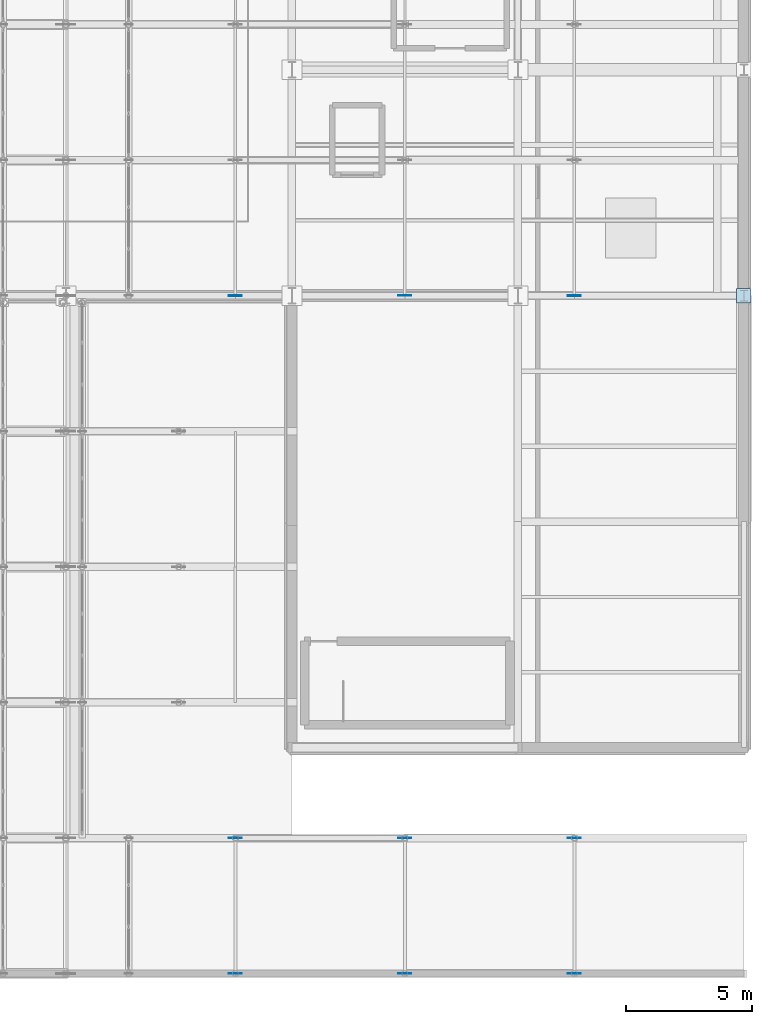
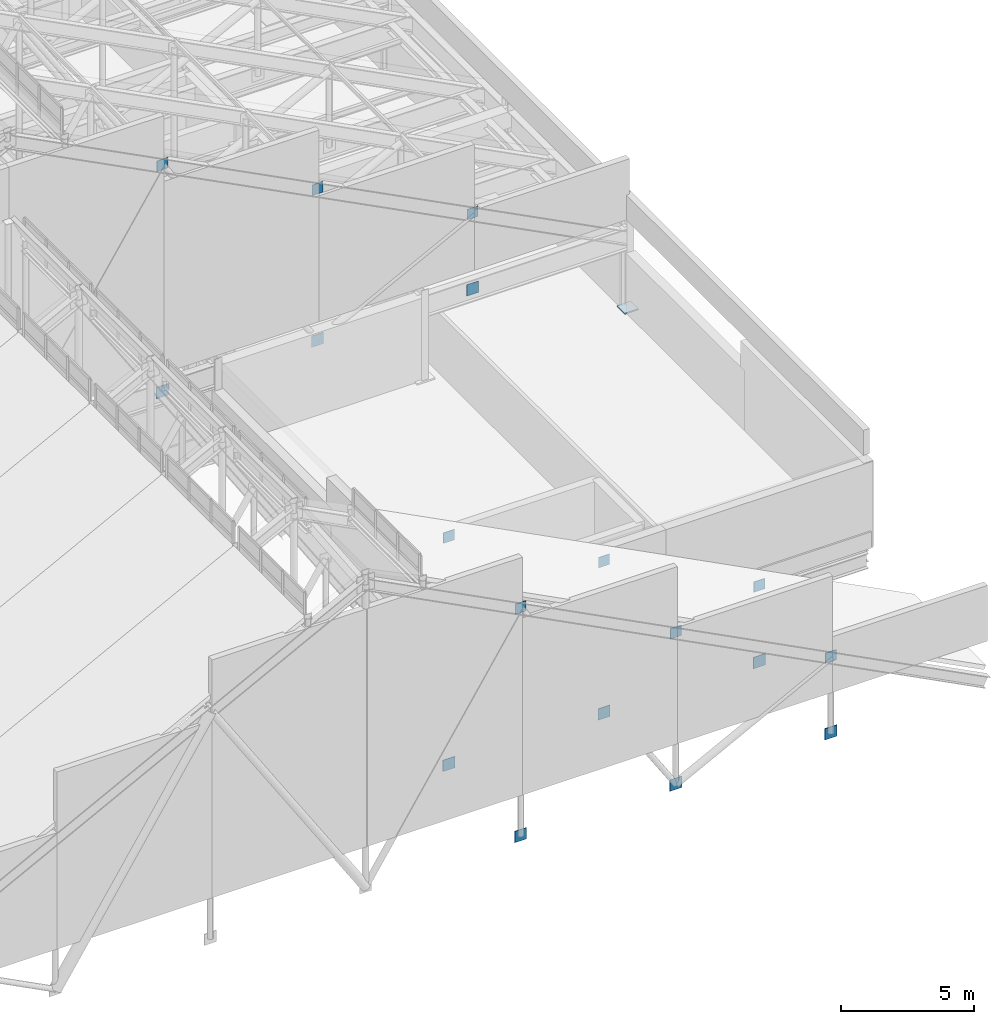
# One storey, part 76 of 84: 19 plates.
"""IFC4 building model written with IfcOpenShell, lengths in metres."""

import ifcopenshell
import ifcopenshell.guid

model = None  # the IFC model being written
_history = None  # IfcOwnerHistory: only IFC2X3 demands one
_inside = {}  # id of a spatial element -> (the spatial element, [elements in it])
_under = {}  # id of a project, library or spatial element -> (it, [spatial elements below it])
_declared = {}  # id of a project -> (the project, [libraries it declares])
_typed = {}  # id of a type object -> (the type object, [elements of that type])
_made_of = {}  # id of a material, layer set ... -> (it, [elements and type objects made of it])


def new_model(schema):
    """Start an empty IFC model of exactly this schema.

    Asked for "IFC4X3", IfcOpenShell would pick the latest addendum, in which some entities
    have other attributes; the version numbers below select the first issue.
    IFC2X3 requires an IfcOwnerHistory on every rooted entity: one is made here for all.
    """
    global model, _history
    if schema == "IFC4X3":
        model = ifcopenshell.file(schema_version=(4, 3, 0, 0))
    else:
        model = ifcopenshell.file(schema=schema)
    _inside.clear()
    _under.clear()
    _declared.clear()
    _typed.clear()
    _made_of.clear()
    _history = None
    if model.schema == "IFC2X3":
        org = make("IfcOrganization", Name="unknown")
        user = make(
            "IfcPersonAndOrganization",
            ThePerson=make("IfcPerson", FamilyName="unknown"),
            TheOrganization=org,
        )
        app = make(
            "IfcApplication",
            ApplicationDeveloper=org,
            Version="unknown",
            ApplicationFullName="unknown",
            ApplicationIdentifier="unknown",
        )
        _history = make(
            "IfcOwnerHistory",
            OwningUser=user,
            OwningApplication=app,
            ChangeAction="ADDED",
            CreationDate=0,
        )
    return model


def make(cls, **values):
    """One entity of the class cls with the attributes given. An attribute that is None is left unset."""
    return model.create_entity(
        cls, **{name: value for name, value in values.items() if value is not None}
    )


def rooted(cls, **values):
    """An entity with a GlobalId (a new one), such as an element, a storey or a relation."""
    return make(cls, GlobalId=ifcopenshell.guid.new(), OwnerHistory=_history, **values)


def si_unit(unit_type, name, prefix=None):
    """IfcSIUnit, for example si_unit("LENGTHUNIT", "METRE", prefix="MILLI")."""
    return make("IfcSIUnit", UnitType=unit_type, Prefix=prefix, Name=name)


def assignment(units):
    """IfcUnitAssignment: the units of a project."""
    return None if units is None else make("IfcUnitAssignment", Units=units)


def point(xyz):
    """IfcCartesianPoint."""
    return None if xyz is None else make("IfcCartesianPoint", Coordinates=xyz)


def direction(xyz):
    """IfcDirection."""
    return None if xyz is None else make("IfcDirection", DirectionRatios=xyz)


def frame(location, z_axis=None, x_axis=None):
    """IfcAxis2Placement3D, a coordinate frame: its origin and axes. An axis left out is left unset."""
    return make(
        "IfcAxis2Placement3D",
        Location=point(location),
        Axis=direction(z_axis),
        RefDirection=direction(x_axis),
    )


def frame_2d(location, x_axis=None):
    """IfcAxis2Placement2D, a coordinate frame in the plane: its origin and x axis."""
    return make(
        "IfcAxis2Placement2D", Location=point(location), RefDirection=direction(x_axis)
    )


def origin():
    """The frame at (0, 0, 0) with its axes left unset."""
    return frame((0.0, 0.0, 0.0))


def origin_2d():
    """The frame at (0, 0) in the plane with its x axis left unset."""
    return frame_2d((0.0, 0.0))


def place(relative_to, where):
    """IfcLocalPlacement: puts the frame where relative to a parent placement (None: the world)."""
    return make(
        "IfcLocalPlacement", PlacementRelTo=relative_to, RelativePlacement=where
    )


def context(
    kind, dimensions, precision=None, world=None, true_north=None, identifier=None
):
    """IfcGeometricRepresentationContext, for example the 3D "Model" context."""
    return make(
        "IfcGeometricRepresentationContext",
        ContextIdentifier=identifier,
        ContextType=kind,
        CoordinateSpaceDimension=dimensions,
        Precision=precision,
        WorldCoordinateSystem=world,
        TrueNorth=true_north,
    )


def subcontext(parent, identifier, kind, view, scale=None):
    """IfcGeometricRepresentationSubContext, for example "Body" below "Model"."""
    return make(
        "IfcGeometricRepresentationSubContext",
        ContextIdentifier=identifier,
        ContextType=kind,
        ParentContext=parent,
        TargetScale=scale,
        TargetView=view,
    )


def project(units=None, contexts=None):
    """IfcProject with its units and contexts."""
    return rooted(
        "IfcProject",
        Name="project",
        RepresentationContexts=contexts,
        UnitsInContext=assignment(units),
    )


def spatial(cls, under=None, at=None, **own):
    """A site, building, storey or space (cls), placed at a placement, below another one or the project."""
    s = rooted(cls, ObjectPlacement=at, **own)
    if under is not None:
        _under.setdefault(under.id(), (under, []))[1].append(s)
    return s


def profile(cls, at=None, kind="AREA", **sizes):
    """A parametric profile (cls). Its sizes go by their IFC names, for example OverallWidth=200.0."""
    return make(cls, ProfileType=kind, Position=at, **sizes)


def rectangle(**sizes):
    """IfcRectangleProfileDef."""
    return profile("IfcRectangleProfileDef", **sizes)


def extrude(swept, where, along, depth):
    """IfcExtrudedAreaSolid: the profile swept, set in the frame where, extruded along a direction by depth."""
    return make(
        "IfcExtrudedAreaSolid",
        SweptArea=swept,
        Position=where,
        ExtrudedDirection=direction(along),
        Depth=depth,
    )


def shape(context_of_items, identifier, shape_type, items):
    """IfcShapeRepresentation: the items that make up one representation, for example the "Body"."""
    return make(
        "IfcShapeRepresentation",
        ContextOfItems=context_of_items,
        RepresentationIdentifier=identifier,
        RepresentationType=shape_type,
        Items=items,
    )


def material(Name=None, Category=None):
    """IfcMaterial."""
    return make("IfcMaterial", Name=Name, Category=Category)


def layer(
    of_material, thickness, ventilated=None, Name=None, Category=None, Priority=None
):
    """IfcMaterialLayer: one layer of a wall or slab, of a material (None: an air gap)."""
    return make(
        "IfcMaterialLayer",
        Material=of_material,
        LayerThickness=thickness,
        IsVentilated=ventilated,
        Name=Name,
        Category=Category,
        Priority=Priority,
    )


def layer_set(layers, Name=None):
    """IfcMaterialLayerSet."""
    return make("IfcMaterialLayerSet", MaterialLayers=layers, LayerSetName=Name)


def made_of(thing, what):
    """Note that an element or type object is made of a material, layer set ...; save() writes the relation."""
    if what is not None:
        _made_of.setdefault(what.id(), (what, []))[1].append(thing)
    return thing


def type_object(cls, material=None, **own):
    """A type object (cls), such as IfcWallType, which elements share."""
    return made_of(rooted(cls, **own), material)


def element(
    cls,
    number,
    at=None,
    inside=None,
    cuts=None,
    type_object=None,
    material=None,
    context=None,
    identifier="Body",
    shape_type=None,
    held_by="IfcProductDefinitionShape",
    body=None,
    shapes=None,
    **own,
):
    """One element of the class cls, such as IfcWall. Its Tag is "e" and its number.

    at: its placement. inside: the storey or other place that contains it. cuts: it is an
    opening in that element (IfcRelVoidsElement). A single representation is given by context,
    identifier, shape_type and body (its items); several are given by shapes. held_by: the class
    of the entity that holds the representations. save() writes the other relations.
    """
    e = rooted(cls, Tag="e%d" % number, ObjectPlacement=at, **own)
    if body is not None:
        shapes = [shape(context, identifier, shape_type, body)]
    if shapes is not None:
        e.Representation = make(held_by, Representations=shapes)
    if inside is not None:
        _inside.setdefault(inside.id(), (inside, []))[1].append(e)
    if cuts is not None:
        rooted(
            "IfcRelVoidsElement", RelatingBuildingElement=cuts, RelatedOpeningElement=e
        )
    if type_object is not None:
        _typed.setdefault(type_object.id(), (type_object, []))[1].append(e)
    return made_of(e, material)


def aggregate(whole, parts):
    """IfcRelAggregates: a whole, such as a stair, and the parts it consists of."""
    return rooted("IfcRelAggregates", RelatingObject=whole, RelatedObjects=parts)


def save(model, path):
    """Write the relations noted so far, then the file.

    IfcRelAggregates (storeys below a building ...), IfcRelContainedInSpatialStructure (elements
    in a storey), IfcRelDefinesByType, IfcRelAssociatesMaterial and IfcRelDeclares: one each for
    every whole, place, type object, material and project.
    """
    for whole, parts in _under.values():
        aggregate(whole, parts)
    for where, things in _inside.values():
        rooted(
            "IfcRelContainedInSpatialStructure",
            RelatedElements=things,
            RelatingStructure=where,
        )
    for kind, things in _typed.values():
        rooted("IfcRelDefinesByType", RelatedObjects=things, RelatingType=kind)
    for what, things in _made_of.values():
        rooted("IfcRelAssociatesMaterial", RelatedObjects=things, RelatingMaterial=what)
    for by, libraries in _declared.values():
        rooted("IfcRelDeclares", RelatingContext=by, RelatedDefinitions=libraries)
    model.write(path)


model = new_model("IFC4")

# Units and contexts
model_context = context("Model", 3, precision=1e-05, world=origin(), true_north=direction((0.0, 1.0)))
body_context = subcontext(model_context, "Body", "Model", "MODEL_VIEW")
ifc_project = project(units=[si_unit("LENGTHUNIT", "METRE"), si_unit("AREAUNIT", "SQUARE_METRE"), si_unit("VOLUMEUNIT", "CUBIC_METRE"), si_unit("PLANEANGLEUNIT", "RADIAN"), si_unit("MASSUNIT", "GRAM", prefix="KILO")], contexts=[model_context])

# Site, building, storey
site_placement = place(None, origin())
site = spatial("IfcSite", under=ifc_project, at=site_placement, CompositionType="ELEMENT")
building_placement = place(site_placement, origin())
building = spatial("IfcBuilding", under=site, at=building_placement, Name="Sundgate Opera House", CompositionType="ELEMENT")
storey_placement = place(building_placement, frame((0.0, 0.0, 30.60009765625)))
storey = spatial("IfcBuildingStorey", under=building, at=storey_placement, Name="L06", CompositionType="ELEMENT", Elevation=30.60009765625)

# Plates
ifc_material_1 = material(Name="Steel S355J2", Category="steel")
ifc_layer_1 = layer(ifc_material_1, 0.06201171875)
ifc_layer_set_1 = layer_set([ifc_layer_1], Name="Steel S355J2")
plate_type_1 = type_object("IfcPlateType", Name="PT-BAS-62", PredefinedType="USERDEFINED", material=ifc_layer_set_1)
plate_1_placement = place(storey_placement, frame((81.0, 60.0, 0.0), z_axis=(0.0, 0.0, 1.0), x_axis=(1.0, 0.0, 0.0)))
element("IfcPlate", 1, at=plate_1_placement, inside=storey, type_object=plate_type_1, Name="L06 Base Plate PT0156", ObjectType="BASE PLATE", PredefinedType="USERDEFINED", context=body_context, shape_type="SweptSolid", body=[
    extrude(rectangle(XDim=0.590087890625, YDim=0.590087890625, at=origin_2d()), origin(), (0.0, 0.0, 1.0), 0.06201171875),
])
ifc_material_2 = material(Name="Steel S355J2", Category="steel")
ifc_layer_2 = layer(ifc_material_2, 0.02490234375)
ifc_layer_set_2 = layer_set([ifc_layer_2], Name="Steel S355J2")
plate_type_2 = type_object("IfcPlateType", Name="PT-GUS-25", PredefinedType="USERDEFINED", material=ifc_layer_set_2)
plate_2_placement = place(storey_placement, frame((60.75, 33.0, 9.469970703125), z_axis=(0.0, 0.0, 1.0), x_axis=(1.0, 0.0, 0.0)))
element("IfcPlate", 2, at=plate_2_placement, inside=storey, type_object=plate_type_2, Name="L06 Truss Upper Node Gusset Plate", ObjectType="GUSSET PLATE", PredefinedType="USERDEFINED", context=body_context, shape_type="SweptSolid", body=[
    extrude(rectangle(XDim=0.47998046875, YDim=0.02490234375, at=origin_2d()), origin(), (0.0, 0.0, 1.0), 0.47998046875),
])
plate_3_placement = place(storey_placement, frame((67.5, 33.0, -1.02001953125), z_axis=(0.0, 0.0, 1.0), x_axis=(1.0, 0.0, 0.0)))
element("IfcPlate", 3, at=plate_3_placement, inside=storey, type_object=plate_type_2, Name="L06 Truss Lower Node Gusset Plate", ObjectType="GUSSET PLATE", PredefinedType="USERDEFINED", context=body_context, shape_type="SweptSolid", body=[
    extrude(rectangle(XDim=0.52001953125, YDim=0.02490234375, at=origin_2d()), origin(), (0.0, 0.0, 1.0), 0.52001953125),
])
for number, where, z_axis, x_axis, name in (
    (4, (67.5, 33.0, 5.97998046875), (0.0, 0.0, 1.0), (1.0, 0.0, 0.0), "L06 Truss Upper Node Gusset Plate"),
    (5, (74.25, 33.0, 2.489990234375), (0.0, 0.0, 1.0), (1.0, 0.0, 0.0), "L06 Truss Upper Node Gusset Plate"),
    (6, (60.75, 38.39990234375, 9.469970703125), (0.0, 0.0, 1.0), (1.0, 0.0, 0.0), "L06 Truss Upper Node Gusset Plate"),
):
    element("IfcPlate", number, at=place(storey_placement, frame(where, z_axis=z_axis, x_axis=x_axis)), inside=storey, type_object=plate_type_2, Name=name, ObjectType="GUSSET PLATE", PredefinedType="USERDEFINED", context=body_context, shape_type="SweptSolid", body=[
        extrude(rectangle(XDim=0.47998046875, YDim=0.02490234375, at=origin_2d()), origin(), (0.0, 0.0, 1.0), 0.47998046875),
    ])
plate_4_placement = place(storey_placement, frame((67.5, 38.39990234375, -1.02001953125), z_axis=(0.0, 0.0, 1.0), x_axis=(1.0, 0.0, 0.0)))
element("IfcPlate", 7, at=plate_4_placement, inside=storey, type_object=plate_type_2, Name="L06 Truss Lower Node Gusset Plate", ObjectType="GUSSET PLATE", PredefinedType="USERDEFINED", context=body_context, shape_type="SweptSolid", body=[
    extrude(rectangle(XDim=0.52001953125, YDim=0.02490234375, at=origin_2d()), origin(), (0.0, 0.0, 1.0), 0.52001953125),
])
for number, where, z_axis, x_axis, name in (
    (8, (67.5, 38.39990234375, 5.97998046875), (0.0, 0.0, 1.0), (1.0, 0.0, 0.0), "L06 Truss Upper Node Gusset Plate"),
    (9, (74.25, 38.39990234375, 2.489990234375), (0.0, 0.0, 1.0), (1.0, 0.0, 0.0), "L06 Truss Upper Node Gusset Plate"),
    (10, (60.75, 60.0, 13.482421875), (0.0, 0.0, 1.0), (1.0, 0.0, 0.0), "L06 Truss Upper Node Gusset Plate"),
):
    element("IfcPlate", number, at=place(storey_placement, frame(where, z_axis=z_axis, x_axis=x_axis)), inside=storey, type_object=plate_type_2, Name=name, ObjectType="GUSSET PLATE", PredefinedType="USERDEFINED", context=body_context, shape_type="SweptSolid", body=[
        extrude(rectangle(XDim=0.47998046875, YDim=0.02490234375, at=origin_2d()), origin(), (0.0, 0.0, 1.0), 0.47998046875),
    ])
plate_5_placement = place(storey_placement, frame((67.5, 60.0, 3.02978515625), z_axis=(0.0, 0.0, 1.0), x_axis=(1.0, 0.0, 0.0)))
element("IfcPlate", 11, at=plate_5_placement, inside=storey, type_object=plate_type_2, Name="L06 Truss Lower Node Gusset Plate", ObjectType="GUSSET PLATE", PredefinedType="USERDEFINED", context=body_context, shape_type="SweptSolid", body=[
    extrude(rectangle(XDim=0.52001953125, YDim=0.02490234375, at=origin_2d()), origin(), (0.0, 0.0, 1.0), 0.52001953125),
])
for number, where, z_axis, x_axis, name in (
    (12, (67.5, 60.0, 10.0048828125), (0.0, 0.0, 1.0), (1.0, 0.0, 0.0), "L06 Truss Upper Node Gusset Plate"),
    (13, (74.25, 60.0, 6.52734375), (0.0, 0.0, 1.0), (1.0, 0.0, 0.0), "L06 Truss Upper Node Gusset Plate"),
):
    element("IfcPlate", number, at=place(storey_placement, frame(where, z_axis=z_axis, x_axis=x_axis)), inside=storey, type_object=plate_type_2, Name=name, ObjectType="GUSSET PLATE", PredefinedType="USERDEFINED", context=body_context, shape_type="SweptSolid", body=[
        extrude(rectangle(XDim=0.47998046875, YDim=0.02490234375, at=origin_2d()), origin(), (0.0, 0.0, 1.0), 0.47998046875),
    ])
ifc_material_3 = material(Name="Steel S355J2", Category="steel")
ifc_layer_3 = layer(ifc_material_3, 0.028076171875)
ifc_layer_set_3 = layer_set([ifc_layer_3], Name="Steel S355J2")
plate_type_3 = type_object("IfcPlateType", Name="PT-GUS-28", PredefinedType="USERDEFINED", material=ifc_layer_set_3)
for number, where, z_axis, x_axis, name in (
    (14, (60.75, 33.0, -1.02001953125), (0.0, 0.0, 1.0), (1.0, 0.0, 0.0), "L06 Truss Lower Node Gusset Plate"),
    (15, (74.25, 33.0, -1.02001953125), (0.0, 0.0, 1.0), (1.0, 0.0, 0.0), "L06 Truss Lower Node Gusset Plate"),
    (16, (60.75, 38.39990234375, -1.02001953125), (0.0, 0.0, 1.0), (1.0, 0.0, 0.0), "L06 Truss Lower Node Gusset Plate"),
    (17, (74.25, 38.39990234375, -1.02001953125), (0.0, 0.0, 1.0), (1.0, 0.0, 0.0), "L06 Truss Lower Node Gusset Plate"),
    (18, (60.75, 60.0, 3.02978515625), (0.0, 0.0, 1.0), (1.0, 0.0, 0.0), "L06 Truss Lower Node Gusset Plate"),
    (19, (74.25, 60.0, 3.02978515625), (0.0, 0.0, 1.0), (1.0, 0.0, 0.0), "L06 Truss Lower Node Gusset Plate"),
):
    element("IfcPlate", number, at=place(storey_placement, frame(where, z_axis=z_axis, x_axis=x_axis)), inside=storey, type_object=plate_type_3, Name=name, ObjectType="GUSSET PLATE", PredefinedType="USERDEFINED", context=body_context, shape_type="SweptSolid", body=[
        extrude(rectangle(XDim=0.52001953125, YDim=0.028076171875, at=origin_2d()), origin(), (0.0, 0.0, 1.0), 0.52001953125),
    ])

save(model, "model.ifc")
